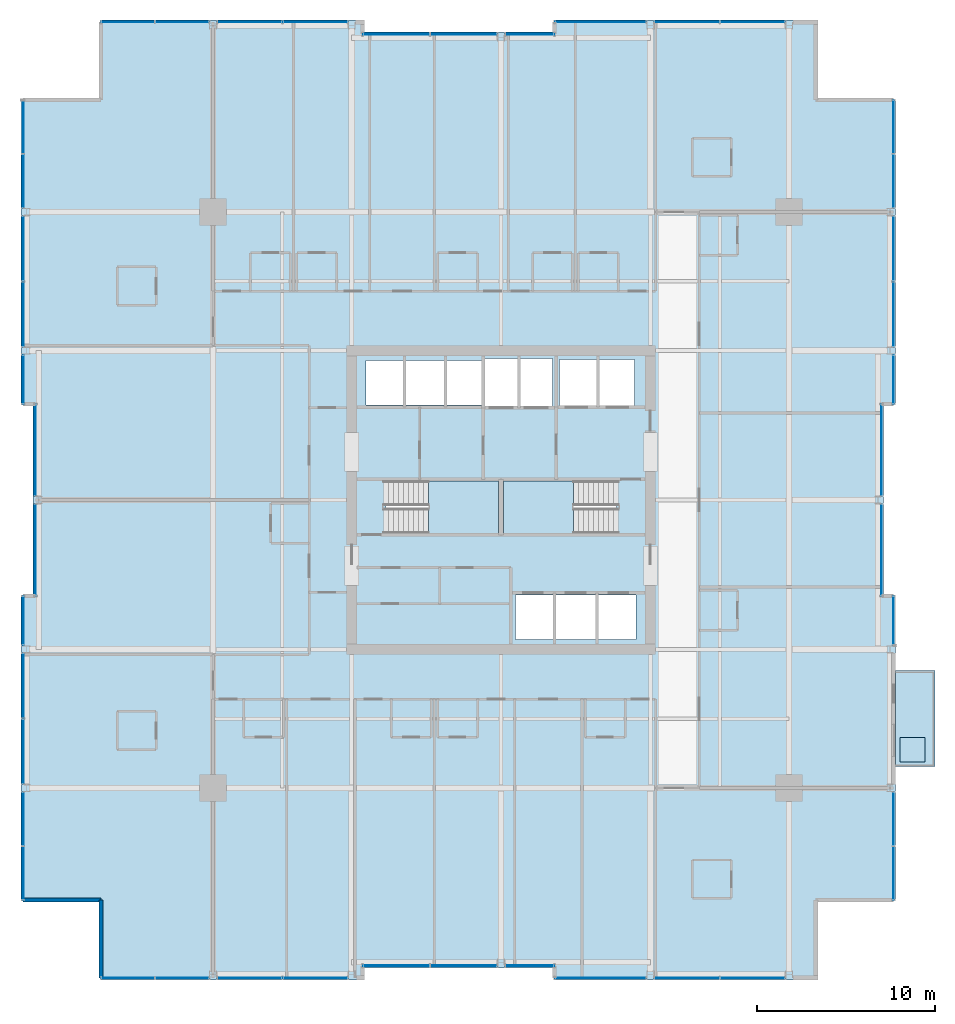
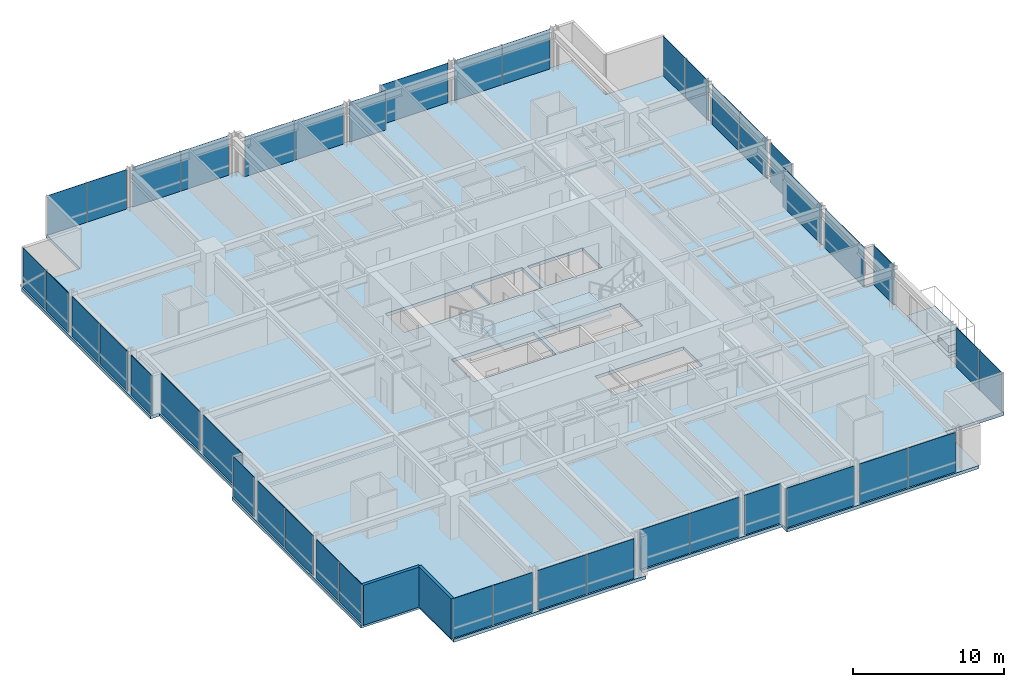
# One storey, part 27 of 34: 42 plates, 5 slabs, 2 walls, 29 elements without a shape of their own.
"""IFC4 building model written with IfcOpenShell, lengths in metres."""

from ifc_helpers import new_model, si_unit, direction, frame, frame_2d, origin, origin_2d, place, context, subcontext, project, spatial, polyline, rectangle, outline, extrude, material, layer, layer_set, type_object, element, aggregate, save


model = new_model("IFC4")

# Units and contexts
model_context = context("Model", 3, precision=1e-05, world=origin(), true_north=direction((0.0, 1.0)))
body_context = subcontext(model_context, "Body", "Model", "MODEL_VIEW")
ifc_project = project(units=[si_unit("LENGTHUNIT", "METRE"), si_unit("AREAUNIT", "SQUARE_METRE"), si_unit("VOLUMEUNIT", "CUBIC_METRE"), si_unit("PLANEANGLEUNIT", "RADIAN"), si_unit("MASSUNIT", "GRAM", prefix="KILO")], contexts=[model_context])

# Site, building, storey
site_placement = place(None, origin())
site = spatial("IfcSite", under=ifc_project, at=site_placement, CompositionType="ELEMENT")
building_placement = place(site_placement, origin())
building = spatial("IfcBuilding", under=site, at=building_placement, Name="Drelvath Grand Hotel", CompositionType="ELEMENT")
storey_placement = place(building_placement, frame((0.0, 0.0, 133.800048828125)))
storey = spatial("IfcBuildingStorey", under=building, at=storey_placement, Name="L34", CompositionType="ELEMENT", Elevation=133.800048828125)

# Slabs
ifc_material_1 = material(Name="Concrete f'c 40 MPa", Category="concrete")
ifc_layer_1 = layer(ifc_material_1, 0.239990234375)
ifc_layer_set_1 = layer_set([ifc_layer_1], Name="Concrete f'c 40 MPa")
slab_type_1 = type_object("IfcSlabType", Name="Cantilevered Tree Balcony Slab 240", PredefinedType="FLOOR", material=ifc_layer_set_1)
slab_1_placement = place(storey_placement, frame((0.0, 0.0, -0.239990234375)))
element("IfcSlab", 1, at=slab_1_placement, inside=storey, type_object=slab_type_1, Name="L34 Cantilevered Tree Balcony Slab 1", PredefinedType="FLOOR", context=body_context, shape_type="SweptSolid", body=[
    extrude(outline(polyline([(22.199951171875, 12.0), (24.39990234375, 12.0), (24.39990234375, 17.39990234375), (22.199951171875, 17.39990234375), (22.199951171875, 12.0)])), origin(), (0.0, 0.0, 1.0), 0.239990234375),
])
ifc_layer_2 = layer(ifc_material_1, 0.260009765625)
ifc_layer_set_2 = layer_set([ifc_layer_2], Name="Concrete f'c 40 MPa")
slab_type_2 = type_object("IfcSlabType", Name="Composite RC Floor Slab 260", PredefinedType="FLOOR", material=ifc_layer_set_2)
slab_2_placement = place(storey_placement, frame((0.0, 0.0, -0.260009765625)))
element("IfcSlab", 2, at=slab_2_placement, inside=storey, type_object=slab_type_2, Name="L34 Structural Floor Slab", PredefinedType="FLOOR", context=body_context, shape_type="SweptSolid", body=[
    extrude(outline(polyline([(-22.5, 0.0), (-7.800048828125, 0.0), (-7.800048828125, 0.679931640625), (3.0, 0.679931640625), (3.0, 0.0), (17.699951171875, 0.0), (17.699951171875, 4.5), (22.199951171875, 4.5), (22.199951171875, 21.60009765625), (21.52001953125, 21.60009765625), (21.52001953125, 32.39990234375), (22.199951171875, 32.39990234375), (22.199951171875, 49.5), (17.699951171875, 49.5), (17.699951171875, 54.0), (3.0, 54.0), (3.0, 53.320068359375), (-7.800048828125, 53.320068359375), (-7.800048828125, 54.0), (-22.5, 54.0), (-22.5, 49.5), (-27.0, 49.5), (-27.0, 32.39990234375), (-26.320068359375, 32.39990234375), (-26.320068359375, 21.60009765625), (-27.0, 21.60009765625), (-27.0, 4.5), (-22.5, 4.5), (-22.5, 0.0)]), holes=[polyline([(-6.47998046875, 25.1201171875), (-6.47998046875, 28.080078125), (-0.14990234375, 28.080078125), (-0.14990234375, 25.1201171875), (-6.47998046875, 25.1201171875)]), polyline([(0.14990234375, 25.1201171875), (0.14990234375, 28.080078125), (6.47998046875, 28.080078125), (6.47998046875, 25.1201171875), (0.14990234375, 25.1201171875)]), polyline([(0.800048828125, 19.14990234375), (0.800048828125, 21.64990234375), (7.60009765625, 21.64990234375), (7.60009765625, 19.14990234375), (0.800048828125, 19.14990234375)]), polyline([(-7.60009765625, 32.35009765625), (-7.60009765625, 34.85009765625), (-1.02001953125, 34.85009765625), (-1.02001953125, 32.35009765625), (-7.60009765625, 32.35009765625)]), polyline([(-0.89990234375, 32.25), (-0.89990234375, 34.949951171875), (2.89990234375, 34.949951171875), (2.89990234375, 32.25), (-0.89990234375, 32.25)]), polyline([(3.300048828125, 32.300048828125), (3.300048828125, 34.89990234375), (7.5, 34.89990234375), (7.5, 32.300048828125), (3.300048828125, 32.300048828125)])]), origin(), (0.0, 0.0, 1.0), 0.260009765625),
])

# Stair, slab
ifc_material_2 = material(Name="Concrete C40/50", Category="concrete")
stair_type = type_object("IfcStairType", Name="Dogleg Exit Stair W1400-R175.0", PredefinedType="HALF_TURN_STAIR", material=ifc_material_2)
stair_1_placement = place(storey_placement, origin())
stair_1 = element("IfcStair", 3, at=stair_1_placement, inside=storey, type_object=stair_type, Name="L34 Core Exit Stair ST-1", PredefinedType="HALF_TURN_STAIR")
ifc_layer_3 = layer(ifc_material_2, 0.199951171875)
ifc_layer_set_3 = layer_set([ifc_layer_3], Name="Concrete C40/50")
slab_type_3 = type_object("IfcSlabType", Name="Concrete Stair Landing Slab 200", PredefinedType="LANDING", material=ifc_layer_set_3)
slab_3_placement = place(storey_placement, frame((0.0, 0.0, 1.550048828125)))
slab_3 = element("IfcSlab", 4, at=slab_3_placement, type_object=slab_type_3, Name="ST-1 landing 1", PredefinedType="LANDING", context=body_context, shape_type="SweptSolid", body=[
    extrude(outline(polyline([(-4.080078125, 25.1201171875), (-0.14990234375, 25.1201171875), (-0.14990234375, 28.080078125), (-4.080078125, 28.080078125), (-4.080078125, 25.1201171875)])), origin(), (0.0, 0.0, 1.0), 0.199951171875),
])
aggregate(stair_1, [slab_3])

stair_2_placement = place(storey_placement, origin())
stair_2 = element("IfcStair", 5, at=stair_2_placement, inside=storey, type_object=stair_type, Name="L34 Core Exit Stair ST-2", PredefinedType="HALF_TURN_STAIR")
slab_4_placement = place(storey_placement, frame((0.0, 0.0, 1.550048828125)))
slab_4 = element("IfcSlab", 6, at=slab_4_placement, type_object=slab_type_3, Name="ST-2 landing 1", PredefinedType="LANDING", context=body_context, shape_type="SweptSolid", body=[
    extrude(outline(polyline([(4.080078125, 28.080078125), (0.14990234375, 28.080078125), (0.14990234375, 25.1201171875), (4.080078125, 25.1201171875), (4.080078125, 28.080078125)])), origin(), (0.0, 0.0, 1.0), 0.199951171875),
])
aggregate(stair_2, [slab_4])

# Curtain wall, plates
ifc_material_3 = material(Name="Champagne Bronze Anodised Aluminium Frame", Category="aluminium")
ifc_layer_4 = layer(ifc_material_3, 0.199951171875)
ifc_layer_set_4 = layer_set([ifc_layer_4], Name="Champagne Bronze Anodised Aluminium Frame")
curtain_wall_type = type_object("IfcCurtainWallType", Name="Stick Curtain Wall CW-03 Champagne Bronze Mid-Rise", PredefinedType="NOTDEFINED", material=ifc_layer_set_4)
curtain_wall_1_placement = place(storey_placement, origin())
curtain_wall_1 = element("IfcCurtainWall", 7, at=curtain_wall_1_placement, inside=storey, type_object=curtain_wall_type, Name="L34 CW-03 Curtain Wall CW03-L34-WS1", PredefinedType="NOTDEFINED")
ifc_material_4 = material(Name="Low-E Triple Silver Vision Glass Neutral", Category="glass")
ifc_layer_5 = layer(ifc_material_4, 0.035888671875)
ifc_layer_set_5 = layer_set([ifc_layer_5], Name="Low-E Triple Silver Vision Glass Neutral")
plate_type = type_object("IfcPlateType", Name="Curtain Wall Vision Panel CW-03 36mm", PredefinedType="CURTAIN_PANEL", material=ifc_layer_set_5)
plate_1_placement = place(storey_placement, frame((-26.8798828125, 6.022705078125, 0.02001953125), z_axis=(0.0, 0.0, 1.0), x_axis=(0.0, 1.0, 0.0)))
plate_1 = element("IfcPlate", 8, at=plate_1_placement, type_object=plate_type, Name="CW03-L34-WS1 Glazed Panel 1", PredefinedType="CURTAIN_PANEL", context=body_context, shape_type="SweptSolid", body=[
    extrude(rectangle(XDim=3.00537109375, YDim=0.035888671875, at=origin_2d()), origin(), (0.0, 0.0, 1.0), 3.199951171875),
])
plate_2_placement = place(storey_placement, frame((-26.8798828125, 9.06787109375, 0.02001953125), z_axis=(0.0, 0.0, 1.0), x_axis=(0.0, 1.0, 0.0)))
plate_2 = element("IfcPlate", 9, at=plate_2_placement, type_object=plate_type, Name="CW03-L34-WS1 Glazed Panel 2", PredefinedType="CURTAIN_PANEL", context=body_context, shape_type="SweptSolid", body=[
    extrude(rectangle(XDim=3.00537109375, YDim=0.035888671875, at=origin_2d()), origin(), (0.0, 0.0, 1.0), 3.199951171875),
])
aggregate(curtain_wall_1, [plate_1, plate_2])

curtain_wall_2_placement = place(storey_placement, origin())
curtain_wall_2 = element("IfcCurtainWall", 10, at=curtain_wall_2_placement, inside=storey, type_object=curtain_wall_type, Name="L34 CW-03 Curtain Wall CW03-L34-WS2", PredefinedType="NOTDEFINED")
plate_3_placement = place(storey_placement, frame((-26.8798828125, 12.854736328125, 0.02001953125), z_axis=(0.0, 0.0, 1.0), x_axis=(0.0, 1.0, 0.0)))
plate_3 = element("IfcPlate", 11, at=plate_3_placement, type_object=plate_type, Name="CW03-L34-WS2 Glazed Panel 1", PredefinedType="CURTAIN_PANEL", context=body_context, shape_type="SweptSolid", body=[
    extrude(rectangle(XDim=3.650634765625, YDim=0.035888671875, at=origin_2d()), origin(), (0.0, 0.0, 1.0), 3.199951171875),
])
plate_4_placement = place(storey_placement, frame((-26.8798828125, 16.54541015625, 0.02001953125), z_axis=(0.0, 0.0, 1.0), x_axis=(0.0, 1.0, 0.0)))
plate_4 = element("IfcPlate", 12, at=plate_4_placement, type_object=plate_type, Name="CW03-L34-WS2 Glazed Panel 2", PredefinedType="CURTAIN_PANEL", context=body_context, shape_type="SweptSolid", body=[
    extrude(rectangle(XDim=3.650634765625, YDim=0.035888671875, at=origin_2d()), origin(), (0.0, 0.0, 1.0), 3.199951171875),
])
aggregate(curtain_wall_2, [plate_3, plate_4])

# Curtain wall, plate
curtain_wall_3_placement = place(storey_placement, origin())
curtain_wall_3 = element("IfcCurtainWall", 13, at=curtain_wall_3_placement, inside=storey, type_object=curtain_wall_type, Name="L34 CW-03 Curtain Wall CW03-L34-WS3", PredefinedType="NOTDEFINED")
plate_5_placement = place(storey_placement, frame((-26.8798828125, 20.20458984375, 0.02001953125), z_axis=(0.0, 0.0, 1.0), x_axis=(0.0, 1.0, 0.0)))
plate_5 = element("IfcPlate", 14, at=plate_5_placement, type_object=plate_type, Name="CW03-L34-WS3 Glazed Panel 1", PredefinedType="CURTAIN_PANEL", context=body_context, shape_type="SweptSolid", body=[
    extrude(rectangle(XDim=2.75048828125, YDim=0.035888671875, at=origin_2d()), origin(), (0.0, 0.0, 1.0), 3.199951171875),
])
aggregate(curtain_wall_3, [plate_5])

curtain_wall_4_placement = place(storey_placement, origin())
curtain_wall_4 = element("IfcCurtainWall", 15, at=curtain_wall_4_placement, inside=storey, type_object=curtain_wall_type, Name="L34 CW-03 Curtain Wall CW03-L34-WM1", PredefinedType="NOTDEFINED")
plate_6_placement = place(storey_placement, frame((-26.199951171875, 24.1953125, 0.02001953125), z_axis=(0.0, 0.0, 1.0), x_axis=(0.0, 1.0, 0.0)))
plate_6 = element("IfcPlate", 16, at=plate_6_placement, type_object=plate_type, Name="CW03-L34-WM1 Glazed Panel 1", PredefinedType="CURTAIN_PANEL", context=body_context, shape_type="SweptSolid", body=[
    extrude(rectangle(XDim=5.150634765625, YDim=0.035888671875, at=origin_2d()), origin(), (0.0, 0.0, 1.0), 3.199951171875),
])
aggregate(curtain_wall_4, [plate_6])

curtain_wall_5_placement = place(storey_placement, origin())
curtain_wall_5 = element("IfcCurtainWall", 17, at=curtain_wall_5_placement, inside=storey, type_object=curtain_wall_type, Name="L34 CW-03 Curtain Wall CW03-L34-WM2", PredefinedType="NOTDEFINED")
plate_7_placement = place(storey_placement, frame((-26.199951171875, 29.8046875, 0.02001953125), z_axis=(0.0, 0.0, 1.0), x_axis=(0.0, 1.0, 0.0)))
plate_7 = element("IfcPlate", 18, at=plate_7_placement, type_object=plate_type, Name="CW03-L34-WM2 Glazed Panel 1", PredefinedType="CURTAIN_PANEL", context=body_context, shape_type="SweptSolid", body=[
    extrude(rectangle(XDim=5.150634765625, YDim=0.035888671875, at=origin_2d()), origin(), (0.0, 0.0, 1.0), 3.199951171875),
])
aggregate(curtain_wall_5, [plate_7])

curtain_wall_6_placement = place(storey_placement, origin())
curtain_wall_6 = element("IfcCurtainWall", 19, at=curtain_wall_6_placement, inside=storey, type_object=curtain_wall_type, Name="L34 CW-03 Curtain Wall CW03-L34-WN1", PredefinedType="NOTDEFINED")
plate_8_placement = place(storey_placement, frame((-26.8798828125, 33.79541015625, 0.02001953125), z_axis=(0.0, 0.0, 1.0), x_axis=(0.0, 1.0, 0.0)))
plate_8 = element("IfcPlate", 20, at=plate_8_placement, type_object=plate_type, Name="CW03-L34-WN1 Glazed Panel 1", PredefinedType="CURTAIN_PANEL", context=body_context, shape_type="SweptSolid", body=[
    extrude(rectangle(XDim=2.75048828125, YDim=0.035888671875, at=origin_2d()), origin(), (0.0, 0.0, 1.0), 3.199951171875),
])
aggregate(curtain_wall_6, [plate_8])

# Curtain wall, plates
curtain_wall_7_placement = place(storey_placement, origin())
curtain_wall_7 = element("IfcCurtainWall", 21, at=curtain_wall_7_placement, inside=storey, type_object=curtain_wall_type, Name="L34 CW-03 Curtain Wall CW03-L34-WN2", PredefinedType="NOTDEFINED")
plate_9_placement = place(storey_placement, frame((-26.8798828125, 37.45458984375, 0.02001953125), z_axis=(0.0, 0.0, 1.0), x_axis=(0.0, 1.0, 0.0)))
plate_9 = element("IfcPlate", 22, at=plate_9_placement, type_object=plate_type, Name="CW03-L34-WN2 Glazed Panel 1", PredefinedType="CURTAIN_PANEL", context=body_context, shape_type="SweptSolid", body=[
    extrude(rectangle(XDim=3.650634765625, YDim=0.035888671875, at=origin_2d()), origin(), (0.0, 0.0, 1.0), 3.199951171875),
])
plate_10_placement = place(storey_placement, frame((-26.8798828125, 41.145263671875, 0.02001953125), z_axis=(0.0, 0.0, 1.0), x_axis=(0.0, 1.0, 0.0)))
plate_10 = element("IfcPlate", 23, at=plate_10_placement, type_object=plate_type, Name="CW03-L34-WN2 Glazed Panel 2", PredefinedType="CURTAIN_PANEL", context=body_context, shape_type="SweptSolid", body=[
    extrude(rectangle(XDim=3.650634765625, YDim=0.035888671875, at=origin_2d()), origin(), (0.0, 0.0, 1.0), 3.199951171875),
])
aggregate(curtain_wall_7, [plate_9, plate_10])

curtain_wall_8_placement = place(storey_placement, origin())
curtain_wall_8 = element("IfcCurtainWall", 24, at=curtain_wall_8_placement, inside=storey, type_object=curtain_wall_type, Name="L34 CW-03 Curtain Wall CW03-L34-WN3", PredefinedType="NOTDEFINED")
plate_11_placement = place(storey_placement, frame((-26.8798828125, 44.93212890625, 0.02001953125), z_axis=(0.0, 0.0, 1.0), x_axis=(0.0, 1.0, 0.0)))
plate_11 = element("IfcPlate", 25, at=plate_11_placement, type_object=plate_type, Name="CW03-L34-WN3 Glazed Panel 1", PredefinedType="CURTAIN_PANEL", context=body_context, shape_type="SweptSolid", body=[
    extrude(rectangle(XDim=3.00537109375, YDim=0.035888671875, at=origin_2d()), origin(), (0.0, 0.0, 1.0), 3.199951171875),
])
plate_12_placement = place(storey_placement, frame((-26.8798828125, 47.977294921875, 0.02001953125), z_axis=(0.0, 0.0, 1.0), x_axis=(0.0, 1.0, 0.0)))
plate_12 = element("IfcPlate", 26, at=plate_12_placement, type_object=plate_type, Name="CW03-L34-WN3 Glazed Panel 2", PredefinedType="CURTAIN_PANEL", context=body_context, shape_type="SweptSolid", body=[
    extrude(rectangle(XDim=3.00537109375, YDim=0.035888671875, at=origin_2d()), origin(), (0.0, 0.0, 1.0), 3.199951171875),
])
aggregate(curtain_wall_8, [plate_11, plate_12])

# Curtain wall, plate
curtain_wall_9_placement = place(storey_placement, origin())
curtain_wall_9 = element("IfcCurtainWall", 27, at=curtain_wall_9_placement, inside=storey, type_object=curtain_wall_type, Name="L34 CW-03 Curtain Wall CW03-L34-EN1", PredefinedType="NOTDEFINED")
plate_13_placement = place(storey_placement, frame((22.080078125, 33.79541015625, 0.02001953125), z_axis=(0.0, 0.0, 1.0), x_axis=(0.0, -1.0, 0.0)))
plate_13 = element("IfcPlate", 28, at=plate_13_placement, type_object=plate_type, Name="CW03-L34-EN1 Glazed Panel 1", PredefinedType="CURTAIN_PANEL", context=body_context, shape_type="SweptSolid", body=[
    extrude(rectangle(XDim=2.75048828125, YDim=0.035888671875, at=origin_2d()), origin(), (0.0, 0.0, 1.0), 3.199951171875),
])
aggregate(curtain_wall_9, [plate_13])

# Curtain wall, plates
curtain_wall_10_placement = place(storey_placement, origin())
curtain_wall_10 = element("IfcCurtainWall", 29, at=curtain_wall_10_placement, inside=storey, type_object=curtain_wall_type, Name="L34 CW-03 Curtain Wall CW03-L34-EN2", PredefinedType="NOTDEFINED")
plate_14_placement = place(storey_placement, frame((22.080078125, 41.145263671875, 0.02001953125), z_axis=(0.0, 0.0, 1.0), x_axis=(0.0, -1.0, 0.0)))
plate_14 = element("IfcPlate", 30, at=plate_14_placement, type_object=plate_type, Name="CW03-L34-EN2 Glazed Panel 1", PredefinedType="CURTAIN_PANEL", context=body_context, shape_type="SweptSolid", body=[
    extrude(rectangle(XDim=3.650634765625, YDim=0.035888671875, at=origin_2d()), origin(), (0.0, 0.0, 1.0), 3.199951171875),
])
plate_15_placement = place(storey_placement, frame((22.080078125, 37.45458984375, 0.02001953125), z_axis=(0.0, 0.0, 1.0), x_axis=(0.0, -1.0, 0.0)))
plate_15 = element("IfcPlate", 31, at=plate_15_placement, type_object=plate_type, Name="CW03-L34-EN2 Glazed Panel 2", PredefinedType="CURTAIN_PANEL", context=body_context, shape_type="SweptSolid", body=[
    extrude(rectangle(XDim=3.650634765625, YDim=0.035888671875, at=origin_2d()), origin(), (0.0, 0.0, 1.0), 3.199951171875),
])
aggregate(curtain_wall_10, [plate_14, plate_15])

curtain_wall_11_placement = place(storey_placement, origin())
curtain_wall_11 = element("IfcCurtainWall", 32, at=curtain_wall_11_placement, inside=storey, type_object=curtain_wall_type, Name="L34 CW-03 Curtain Wall CW03-L34-EN3", PredefinedType="NOTDEFINED")
plate_16_placement = place(storey_placement, frame((22.080078125, 47.977294921875, 0.02001953125), z_axis=(0.0, 0.0, 1.0), x_axis=(0.0, -1.0, 0.0)))
plate_16 = element("IfcPlate", 33, at=plate_16_placement, type_object=plate_type, Name="CW03-L34-EN3 Glazed Panel 1", PredefinedType="CURTAIN_PANEL", context=body_context, shape_type="SweptSolid", body=[
    extrude(rectangle(XDim=3.00537109375, YDim=0.035888671875, at=origin_2d()), origin(), (0.0, 0.0, 1.0), 3.199951171875),
])
plate_17_placement = place(storey_placement, frame((22.080078125, 44.93212890625, 0.02001953125), z_axis=(0.0, 0.0, 1.0), x_axis=(0.0, -1.0, 0.0)))
plate_17 = element("IfcPlate", 34, at=plate_17_placement, type_object=plate_type, Name="CW03-L34-EN3 Glazed Panel 2", PredefinedType="CURTAIN_PANEL", context=body_context, shape_type="SweptSolid", body=[
    extrude(rectangle(XDim=3.00537109375, YDim=0.035888671875, at=origin_2d()), origin(), (0.0, 0.0, 1.0), 3.199951171875),
])
aggregate(curtain_wall_11, [plate_16, plate_17])

# Curtain wall, plate
curtain_wall_12_placement = place(storey_placement, origin())
curtain_wall_12 = element("IfcCurtainWall", 35, at=curtain_wall_12_placement, inside=storey, type_object=curtain_wall_type, Name="L34 CW-03 Curtain Wall CW03-L34-EM1", PredefinedType="NOTDEFINED")
plate_18_placement = place(storey_placement, frame((21.39990234375, 24.1953125, 0.02001953125), z_axis=(0.0, 0.0, 1.0), x_axis=(0.0, -1.0, 0.0)))
plate_18 = element("IfcPlate", 36, at=plate_18_placement, type_object=plate_type, Name="CW03-L34-EM1 Glazed Panel 1", PredefinedType="CURTAIN_PANEL", context=body_context, shape_type="SweptSolid", body=[
    extrude(rectangle(XDim=5.150634765625, YDim=0.035888671875, at=origin_2d()), origin(), (0.0, 0.0, 1.0), 3.199951171875),
])
aggregate(curtain_wall_12, [plate_18])

curtain_wall_13_placement = place(storey_placement, origin())
curtain_wall_13 = element("IfcCurtainWall", 37, at=curtain_wall_13_placement, inside=storey, type_object=curtain_wall_type, Name="L34 CW-03 Curtain Wall CW03-L34-EM2", PredefinedType="NOTDEFINED")
plate_19_placement = place(storey_placement, frame((21.39990234375, 29.8046875, 0.02001953125), z_axis=(0.0, 0.0, 1.0), x_axis=(0.0, -1.0, 0.0)))
plate_19 = element("IfcPlate", 38, at=plate_19_placement, type_object=plate_type, Name="CW03-L34-EM2 Glazed Panel 1", PredefinedType="CURTAIN_PANEL", context=body_context, shape_type="SweptSolid", body=[
    extrude(rectangle(XDim=5.150634765625, YDim=0.035888671875, at=origin_2d()), origin(), (0.0, 0.0, 1.0), 3.199951171875),
])
aggregate(curtain_wall_13, [plate_19])

# Curtain wall, plates
curtain_wall_14_placement = place(storey_placement, origin())
curtain_wall_14 = element("IfcCurtainWall", 39, at=curtain_wall_14_placement, inside=storey, type_object=curtain_wall_type, Name="L34 CW-03 Curtain Wall CW03-L34-ES1", PredefinedType="NOTDEFINED")
plate_20_placement = place(storey_placement, frame((22.080078125, 9.06787109375, 0.02001953125), z_axis=(0.0, 0.0, 1.0), x_axis=(0.0, -1.0, 0.0)))
plate_20 = element("IfcPlate", 40, at=plate_20_placement, type_object=plate_type, Name="CW03-L34-ES1 Glazed Panel 1", PredefinedType="CURTAIN_PANEL", context=body_context, shape_type="SweptSolid", body=[
    extrude(rectangle(XDim=3.00537109375, YDim=0.035888671875, at=origin_2d()), origin(), (0.0, 0.0, 1.0), 3.199951171875),
])
plate_21_placement = place(storey_placement, frame((22.080078125, 6.022705078125, 0.02001953125), z_axis=(0.0, 0.0, 1.0), x_axis=(0.0, -1.0, 0.0)))
plate_21 = element("IfcPlate", 41, at=plate_21_placement, type_object=plate_type, Name="CW03-L34-ES1 Glazed Panel 2", PredefinedType="CURTAIN_PANEL", context=body_context, shape_type="SweptSolid", body=[
    extrude(rectangle(XDim=3.00537109375, YDim=0.035888671875, at=origin_2d()), origin(), (0.0, 0.0, 1.0), 3.199951171875),
])
aggregate(curtain_wall_14, [plate_20, plate_21])

# Curtain wall, plate
curtain_wall_15_placement = place(storey_placement, origin())
curtain_wall_15 = element("IfcCurtainWall", 42, at=curtain_wall_15_placement, inside=storey, type_object=curtain_wall_type, Name="L34 CW-03 Curtain Wall CW03-L34-ES3", PredefinedType="NOTDEFINED")
plate_22_placement = place(storey_placement, frame((22.080078125, 20.20458984375, 0.02001953125), z_axis=(0.0, 0.0, 1.0), x_axis=(0.0, -1.0, 0.0)))
plate_22 = element("IfcPlate", 43, at=plate_22_placement, type_object=plate_type, Name="CW03-L34-ES3 Glazed Panel 1", PredefinedType="CURTAIN_PANEL", context=body_context, shape_type="SweptSolid", body=[
    extrude(rectangle(XDim=2.75048828125, YDim=0.035888671875, at=origin_2d()), origin(), (0.0, 0.0, 1.0), 3.199951171875),
])
aggregate(curtain_wall_15, [plate_22])

# Curtain wall, plates
curtain_wall_16_placement = place(storey_placement, origin())
curtain_wall_16 = element("IfcCurtainWall", 44, at=curtain_wall_16_placement, inside=storey, type_object=curtain_wall_type, Name="L34 CW-03 Curtain Wall CW03-L34-NW1", PredefinedType="NOTDEFINED")
plate_23_placement = place(storey_placement, frame((-20.977294921875, 53.8798828125, 0.02001953125), z_axis=(0.0, 0.0, 1.0), x_axis=(1.0, 0.0, 0.0)))
plate_23 = element("IfcPlate", 45, at=plate_23_placement, type_object=plate_type, Name="CW03-L34-NW1 Glazed Panel 1", PredefinedType="CURTAIN_PANEL", context=body_context, shape_type="SweptSolid", body=[
    extrude(rectangle(XDim=3.00537109375, YDim=0.035888671875, at=origin_2d()), origin(), (0.0, 0.0, 1.0), 3.199951171875),
])
plate_24_placement = place(storey_placement, frame((-17.93212890625, 53.8798828125, 0.02001953125), z_axis=(0.0, 0.0, 1.0), x_axis=(1.0, 0.0, 0.0)))
plate_24 = element("IfcPlate", 46, at=plate_24_placement, type_object=plate_type, Name="CW03-L34-NW1 Glazed Panel 2", PredefinedType="CURTAIN_PANEL", context=body_context, shape_type="SweptSolid", body=[
    extrude(rectangle(XDim=3.00537109375, YDim=0.035888671875, at=origin_2d()), origin(), (0.0, 0.0, 1.0), 3.199951171875),
])
aggregate(curtain_wall_16, [plate_23, plate_24])

curtain_wall_17_placement = place(storey_placement, origin())
curtain_wall_17 = element("IfcCurtainWall", 47, at=curtain_wall_17_placement, inside=storey, type_object=curtain_wall_type, Name="L34 CW-03 Curtain Wall CW03-L34-NW2", PredefinedType="NOTDEFINED")
plate_25_placement = place(storey_placement, frame((-14.145263671875, 53.8798828125, 0.02001953125), z_axis=(0.0, 0.0, 1.0), x_axis=(1.0, 0.0, 0.0)))
plate_25 = element("IfcPlate", 48, at=plate_25_placement, type_object=plate_type, Name="CW03-L34-NW2 Glazed Panel 1", PredefinedType="CURTAIN_PANEL", context=body_context, shape_type="SweptSolid", body=[
    extrude(rectangle(XDim=3.650634765625, YDim=0.035888671875, at=origin_2d()), origin(), (0.0, 0.0, 1.0), 3.199951171875),
])
plate_26_placement = place(storey_placement, frame((-10.45458984375, 53.8798828125, 0.02001953125), z_axis=(0.0, 0.0, 1.0), x_axis=(1.0, 0.0, 0.0)))
plate_26 = element("IfcPlate", 49, at=plate_26_placement, type_object=plate_type, Name="CW03-L34-NW2 Glazed Panel 2", PredefinedType="CURTAIN_PANEL", context=body_context, shape_type="SweptSolid", body=[
    extrude(rectangle(XDim=3.650634765625, YDim=0.035888671875, at=origin_2d()), origin(), (0.0, 0.0, 1.0), 3.199951171875),
])
aggregate(curtain_wall_17, [plate_25, plate_26])

curtain_wall_18_placement = place(storey_placement, origin())
curtain_wall_18 = element("IfcCurtainWall", 50, at=curtain_wall_18_placement, inside=storey, type_object=curtain_wall_type, Name="L34 CW-03 Curtain Wall CW03-L34-NM1", PredefinedType="NOTDEFINED")
plate_27_placement = place(storey_placement, frame((-5.90234375, 53.199951171875, 0.02001953125), z_axis=(0.0, 0.0, 1.0), x_axis=(1.0, 0.0, 0.0)))
plate_27 = element("IfcPlate", 51, at=plate_27_placement, type_object=plate_type, Name="CW03-L34-NM1 Glazed Panel 1", PredefinedType="CURTAIN_PANEL", context=body_context, shape_type="SweptSolid", body=[
    extrude(rectangle(XDim=3.75537109375, YDim=0.035888671875, at=origin_2d()), origin(), (0.0, 0.0, 1.0), 3.199951171875),
])
plate_28_placement = place(storey_placement, frame((-2.107177734375, 53.199951171875, 0.02001953125), z_axis=(0.0, 0.0, 1.0), x_axis=(1.0, 0.0, 0.0)))
plate_28 = element("IfcPlate", 52, at=plate_28_placement, type_object=plate_type, Name="CW03-L34-NM1 Glazed Panel 2", PredefinedType="CURTAIN_PANEL", context=body_context, shape_type="SweptSolid", body=[
    extrude(rectangle(XDim=3.75537109375, YDim=0.035888671875, at=origin_2d()), origin(), (0.0, 0.0, 1.0), 3.199951171875),
])
aggregate(curtain_wall_18, [plate_27, plate_28])

# Curtain wall, plate
curtain_wall_19_placement = place(storey_placement, origin())
curtain_wall_19 = element("IfcCurtainWall", 53, at=curtain_wall_19_placement, inside=storey, type_object=curtain_wall_type, Name="L34 CW-03 Curtain Wall CW03-L34-NM2", PredefinedType="NOTDEFINED")
plate_29_placement = place(storey_placement, frame((1.604736328125, 53.199951171875, 0.02001953125), z_axis=(0.0, 0.0, 1.0), x_axis=(1.0, 0.0, 0.0)))
plate_29 = element("IfcPlate", 54, at=plate_29_placement, type_object=plate_type, Name="CW03-L34-NM2 Glazed Panel 1", PredefinedType="CURTAIN_PANEL", context=body_context, shape_type="SweptSolid", body=[
    extrude(rectangle(XDim=2.75048828125, YDim=0.035888671875, at=origin_2d()), origin(), (0.0, 0.0, 1.0), 3.199951171875),
])
aggregate(curtain_wall_19, [plate_29])

curtain_wall_20_placement = place(storey_placement, origin())
curtain_wall_20 = element("IfcCurtainWall", 55, at=curtain_wall_20_placement, inside=storey, type_object=curtain_wall_type, Name="L34 CW-03 Curtain Wall CW03-L34-NE1", PredefinedType="NOTDEFINED")
plate_30_placement = place(storey_placement, frame((5.59521484375, 53.8798828125, 0.02001953125), z_axis=(0.0, 0.0, 1.0), x_axis=(1.0, 0.0, 0.0)))
plate_30 = element("IfcPlate", 56, at=plate_30_placement, type_object=plate_type, Name="CW03-L34-NE1 Glazed Panel 1", PredefinedType="CURTAIN_PANEL", context=body_context, shape_type="SweptSolid", body=[
    extrude(rectangle(XDim=5.150634765625, YDim=0.035888671875, at=origin_2d()), origin(), (0.0, 0.0, 1.0), 3.199951171875),
])
aggregate(curtain_wall_20, [plate_30])

# Curtain wall, plates
curtain_wall_21_placement = place(storey_placement, origin())
curtain_wall_21 = element("IfcCurtainWall", 57, at=curtain_wall_21_placement, inside=storey, type_object=curtain_wall_type, Name="L34 CW-03 Curtain Wall CW03-L34-NE2", PredefinedType="NOTDEFINED")
plate_31_placement = place(storey_placement, frame((10.45458984375, 53.8798828125, 0.02001953125), z_axis=(0.0, 0.0, 1.0), x_axis=(1.0, 0.0, 0.0)))
plate_31 = element("IfcPlate", 58, at=plate_31_placement, type_object=plate_type, Name="CW03-L34-NE2 Glazed Panel 1", PredefinedType="CURTAIN_PANEL", context=body_context, shape_type="SweptSolid", body=[
    extrude(rectangle(XDim=3.650634765625, YDim=0.035888671875, at=origin_2d()), origin(), (0.0, 0.0, 1.0), 3.199951171875),
])
plate_32_placement = place(storey_placement, frame((14.145263671875, 53.8798828125, 0.02001953125), z_axis=(0.0, 0.0, 1.0), x_axis=(1.0, 0.0, 0.0)))
plate_32 = element("IfcPlate", 59, at=plate_32_placement, type_object=plate_type, Name="CW03-L34-NE2 Glazed Panel 2", PredefinedType="CURTAIN_PANEL", context=body_context, shape_type="SweptSolid", body=[
    extrude(rectangle(XDim=3.650634765625, YDim=0.035888671875, at=origin_2d()), origin(), (0.0, 0.0, 1.0), 3.199951171875),
])
aggregate(curtain_wall_21, [plate_31, plate_32])

# Curtain wall, plate
curtain_wall_22_placement = place(storey_placement, origin())
curtain_wall_22 = element("IfcCurtainWall", 60, at=curtain_wall_22_placement, inside=storey, type_object=curtain_wall_type, Name="L34 CW-03 Curtain Wall CW03-L34-SE1", PredefinedType="NOTDEFINED")
plate_33_placement = place(storey_placement, frame((5.59521484375, 0.1201171875, 0.02001953125), z_axis=(0.0, 0.0, 1.0), x_axis=(-1.0, 0.0, 0.0)))
plate_33 = element("IfcPlate", 61, at=plate_33_placement, type_object=plate_type, Name="CW03-L34-SE1 Glazed Panel 1", PredefinedType="CURTAIN_PANEL", context=body_context, shape_type="SweptSolid", body=[
    extrude(rectangle(XDim=5.150634765625, YDim=0.035888671875, at=origin_2d()), origin(), (0.0, 0.0, 1.0), 3.199951171875),
])
aggregate(curtain_wall_22, [plate_33])

# Curtain wall, plates
curtain_wall_23_placement = place(storey_placement, origin())
curtain_wall_23 = element("IfcCurtainWall", 62, at=curtain_wall_23_placement, inside=storey, type_object=curtain_wall_type, Name="L34 CW-03 Curtain Wall CW03-L34-SE2", PredefinedType="NOTDEFINED")
plate_34_placement = place(storey_placement, frame((14.145263671875, 0.1201171875, 0.02001953125), z_axis=(0.0, 0.0, 1.0), x_axis=(-1.0, 0.0, 0.0)))
plate_34 = element("IfcPlate", 63, at=plate_34_placement, type_object=plate_type, Name="CW03-L34-SE2 Glazed Panel 1", PredefinedType="CURTAIN_PANEL", context=body_context, shape_type="SweptSolid", body=[
    extrude(rectangle(XDim=3.650634765625, YDim=0.035888671875, at=origin_2d()), origin(), (0.0, 0.0, 1.0), 3.199951171875),
])
plate_35_placement = place(storey_placement, frame((10.45458984375, 0.1201171875, 0.02001953125), z_axis=(0.0, 0.0, 1.0), x_axis=(-1.0, 0.0, 0.0)))
plate_35 = element("IfcPlate", 64, at=plate_35_placement, type_object=plate_type, Name="CW03-L34-SE2 Glazed Panel 2", PredefinedType="CURTAIN_PANEL", context=body_context, shape_type="SweptSolid", body=[
    extrude(rectangle(XDim=3.650634765625, YDim=0.035888671875, at=origin_2d()), origin(), (0.0, 0.0, 1.0), 3.199951171875),
])
aggregate(curtain_wall_23, [plate_34, plate_35])

curtain_wall_24_placement = place(storey_placement, origin())
curtain_wall_24 = element("IfcCurtainWall", 65, at=curtain_wall_24_placement, inside=storey, type_object=curtain_wall_type, Name="L34 CW-03 Curtain Wall CW03-L34-SM1", PredefinedType="NOTDEFINED")
plate_36_placement = place(storey_placement, frame((-2.107177734375, 0.800048828125, 0.02001953125), z_axis=(0.0, 0.0, 1.0), x_axis=(-1.0, 0.0, 0.0)))
plate_36 = element("IfcPlate", 66, at=plate_36_placement, type_object=plate_type, Name="CW03-L34-SM1 Glazed Panel 1", PredefinedType="CURTAIN_PANEL", context=body_context, shape_type="SweptSolid", body=[
    extrude(rectangle(XDim=3.75537109375, YDim=0.035888671875, at=origin_2d()), origin(), (0.0, 0.0, 1.0), 3.199951171875),
])
plate_37_placement = place(storey_placement, frame((-5.90234375, 0.800048828125, 0.02001953125), z_axis=(0.0, 0.0, 1.0), x_axis=(-1.0, 0.0, 0.0)))
plate_37 = element("IfcPlate", 67, at=plate_37_placement, type_object=plate_type, Name="CW03-L34-SM1 Glazed Panel 2", PredefinedType="CURTAIN_PANEL", context=body_context, shape_type="SweptSolid", body=[
    extrude(rectangle(XDim=3.75537109375, YDim=0.035888671875, at=origin_2d()), origin(), (0.0, 0.0, 1.0), 3.199951171875),
])
aggregate(curtain_wall_24, [plate_36, plate_37])

# Curtain wall, plate
curtain_wall_25_placement = place(storey_placement, origin())
curtain_wall_25 = element("IfcCurtainWall", 68, at=curtain_wall_25_placement, inside=storey, type_object=curtain_wall_type, Name="L34 CW-03 Curtain Wall CW03-L34-SM2", PredefinedType="NOTDEFINED")
plate_38_placement = place(storey_placement, frame((1.604736328125, 0.800048828125, 0.02001953125), z_axis=(0.0, 0.0, 1.0), x_axis=(-1.0, 0.0, 0.0)))
plate_38 = element("IfcPlate", 69, at=plate_38_placement, type_object=plate_type, Name="CW03-L34-SM2 Glazed Panel 1", PredefinedType="CURTAIN_PANEL", context=body_context, shape_type="SweptSolid", body=[
    extrude(rectangle(XDim=2.75048828125, YDim=0.035888671875, at=origin_2d()), origin(), (0.0, 0.0, 1.0), 3.199951171875),
])
aggregate(curtain_wall_25, [plate_38])

# Curtain wall, plates
curtain_wall_26_placement = place(storey_placement, origin())
curtain_wall_26 = element("IfcCurtainWall", 70, at=curtain_wall_26_placement, inside=storey, type_object=curtain_wall_type, Name="L34 CW-03 Curtain Wall CW03-L34-SW1", PredefinedType="NOTDEFINED")
plate_39_placement = place(storey_placement, frame((-17.93212890625, 0.1201171875, 0.02001953125), z_axis=(0.0, 0.0, 1.0), x_axis=(-1.0, 0.0, 0.0)))
plate_39 = element("IfcPlate", 71, at=plate_39_placement, type_object=plate_type, Name="CW03-L34-SW1 Glazed Panel 1", PredefinedType="CURTAIN_PANEL", context=body_context, shape_type="SweptSolid", body=[
    extrude(rectangle(XDim=3.00537109375, YDim=0.035888671875, at=origin_2d()), origin(), (0.0, 0.0, 1.0), 3.199951171875),
])
plate_40_placement = place(storey_placement, frame((-20.977294921875, 0.1201171875, 0.02001953125), z_axis=(0.0, 0.0, 1.0), x_axis=(-1.0, 0.0, 0.0)))
plate_40 = element("IfcPlate", 72, at=plate_40_placement, type_object=plate_type, Name="CW03-L34-SW1 Glazed Panel 2", PredefinedType="CURTAIN_PANEL", context=body_context, shape_type="SweptSolid", body=[
    extrude(rectangle(XDim=3.00537109375, YDim=0.035888671875, at=origin_2d()), origin(), (0.0, 0.0, 1.0), 3.199951171875),
])
aggregate(curtain_wall_26, [plate_39, plate_40])

curtain_wall_27_placement = place(storey_placement, origin())
curtain_wall_27 = element("IfcCurtainWall", 73, at=curtain_wall_27_placement, inside=storey, type_object=curtain_wall_type, Name="L34 CW-03 Curtain Wall CW03-L34-SW2", PredefinedType="NOTDEFINED")
plate_41_placement = place(storey_placement, frame((-10.45458984375, 0.1201171875, 0.02001953125), z_axis=(0.0, 0.0, 1.0), x_axis=(-1.0, 0.0, 0.0)))
plate_41 = element("IfcPlate", 74, at=plate_41_placement, type_object=plate_type, Name="CW03-L34-SW2 Glazed Panel 1", PredefinedType="CURTAIN_PANEL", context=body_context, shape_type="SweptSolid", body=[
    extrude(rectangle(XDim=3.650634765625, YDim=0.035888671875, at=origin_2d()), origin(), (0.0, 0.0, 1.0), 3.199951171875),
])
plate_42_placement = place(storey_placement, frame((-14.145263671875, 0.1201171875, 0.02001953125), z_axis=(0.0, 0.0, 1.0), x_axis=(-1.0, 0.0, 0.0)))
plate_42 = element("IfcPlate", 75, at=plate_42_placement, type_object=plate_type, Name="CW03-L34-SW2 Glazed Panel 2", PredefinedType="CURTAIN_PANEL", context=body_context, shape_type="SweptSolid", body=[
    extrude(rectangle(XDim=3.650634765625, YDim=0.035888671875, at=origin_2d()), origin(), (0.0, 0.0, 1.0), 3.199951171875),
])
aggregate(curtain_wall_27, [plate_41, plate_42])

# Slab
ifc_layer_6 = layer(ifc_material_1, 0.550048828125)
ifc_layer_set_6 = layer_set([ifc_layer_6], Name="Concrete f'c 40 MPa")
slab_type_4 = type_object("IfcSlabType", Name="Structural Tree Planter Box 550", PredefinedType="USERDEFINED", material=ifc_layer_set_6)
slab_5_placement = place(storey_placement, origin())
element("IfcSlab", 76, at=slab_5_placement, inside=storey, type_object=slab_type_4, Name="L34 Tree Balcony Structural Planter 1", ObjectType="PLANTER", PredefinedType="USERDEFINED", context=body_context, shape_type="SweptSolid", body=[
    extrude(outline(polyline([(22.449951171875, 12.25), (23.85009765625, 12.25), (23.85009765625, 13.64990234375), (22.449951171875, 13.64990234375), (22.449951171875, 12.25)])), origin(), (0.0, 0.0, 1.0), 0.550048828125),
])

# Walls
ifc_material_5 = material(Name="Pale-Metal Insulated Aluminium Spandrel Assembly", Category="aluminium")
ifc_layer_7 = layer(ifc_material_5, 0.239990234375)
ifc_layer_set_7 = layer_set([ifc_layer_7], Name="Pale-Metal Insulated Aluminium Spandrel Assembly")
wall_type = type_object("IfcWallType", Name="Tower Insulated Metal Spandrel Closure Wall 240", PredefinedType="STANDARD", material=ifc_layer_set_7)
for number, where, z_axis, x_axis, name in (
    (77, (-22.5, 0.1201171875, 0.0), (0.0, 0.0, 1.0), (0.0, 1.0, 0.0), "L34 Notched Corner Return Spandrel Wall CSW1"),
    (78, (-22.5, 4.5, 0.0), (0.0, 0.0, 1.0), (-1.0, 0.0, 0.0), "L34 Notched Corner Return Spandrel Wall CSW2"),
):
    element("IfcWall", number, at=place(storey_placement, frame(where, z_axis=z_axis, x_axis=x_axis)), inside=storey, type_object=wall_type, Name=name, PredefinedType="STANDARD", context=body_context, shape_type="SweptSolid", body=[
        extrude(rectangle(XDim=4.3798828125, YDim=0.239990234375, at=frame_2d((2.18994140625, 0.0))), origin(), (0.0, 0.0, 1.0), 3.239990234375),
    ])

save(model, "model.ifc")
